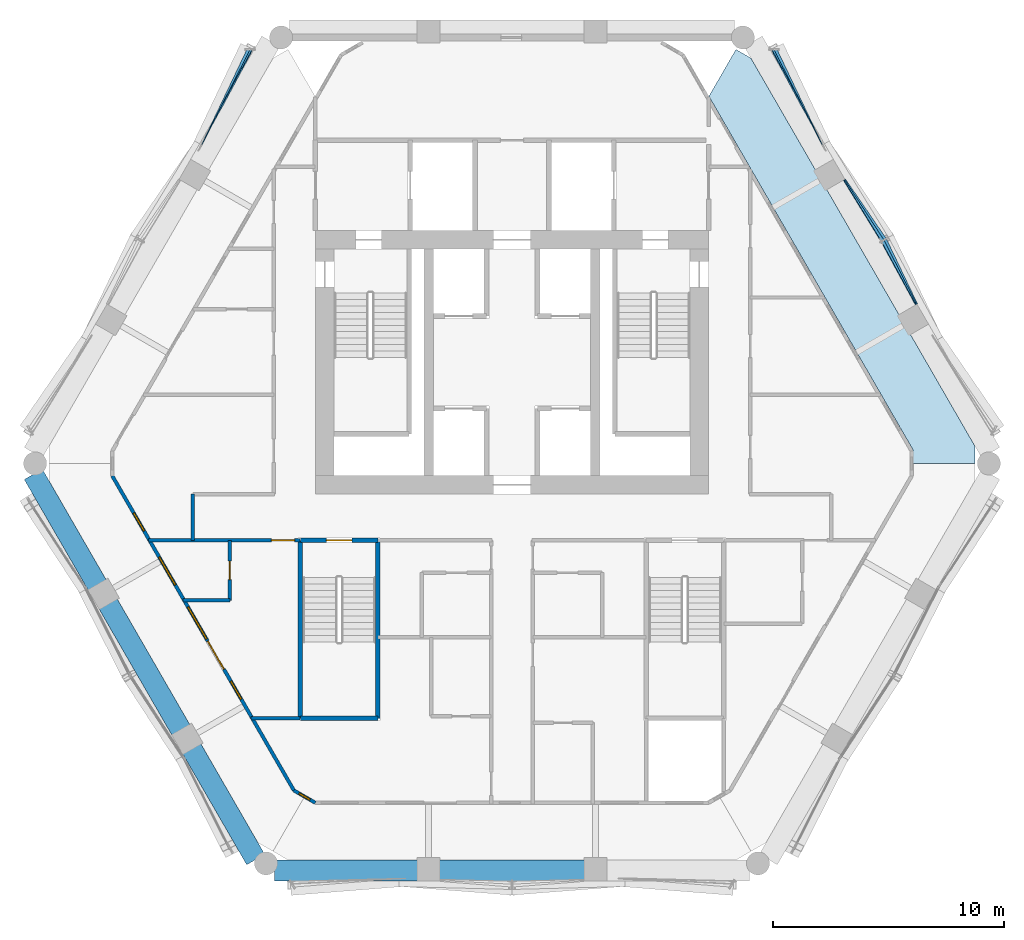
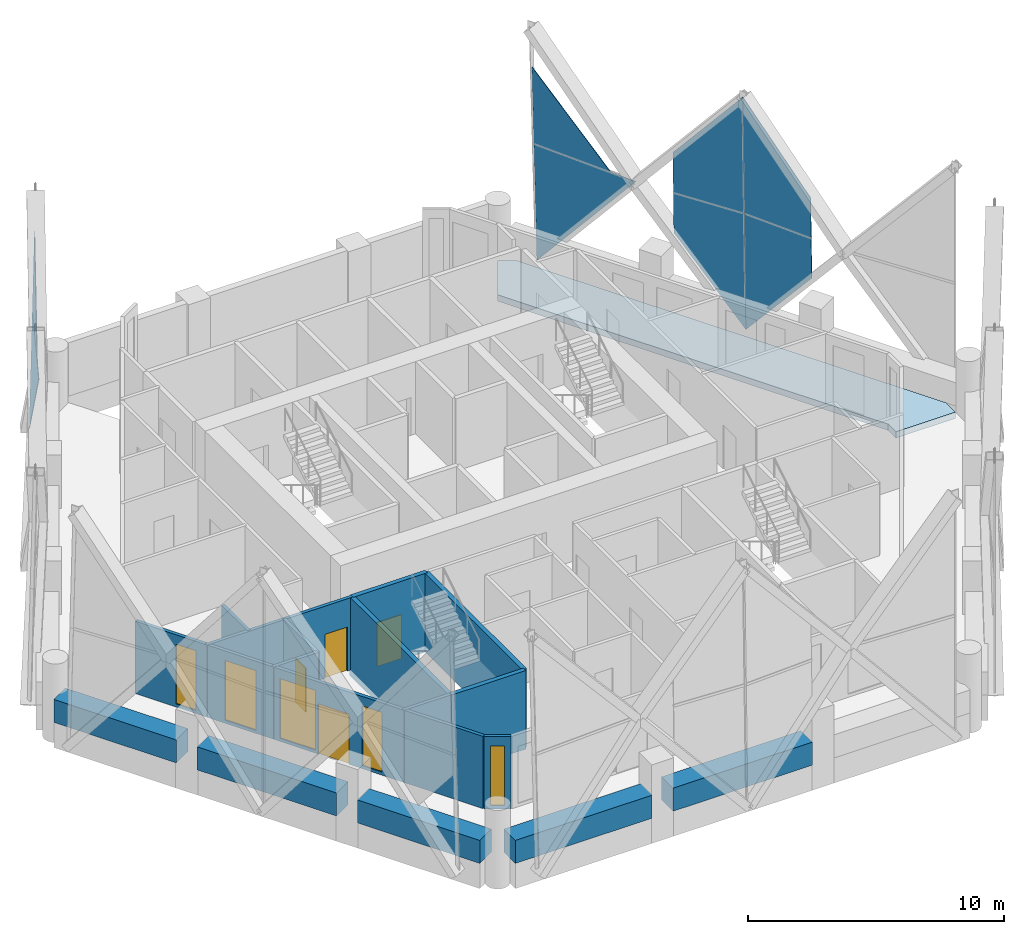
# One storey, part 9 of 18: 16 walls, 8 plates, 5 windows, 4 doors, 1 slab, 9 openings, 6 elements without a shape of their own.
"""IFC4 building model written with IfcOpenShell, lengths in metres."""

from ifc_helpers import new_model, si_unit, direction, frame, frame_2d, origin, place, context, subcontext, project, spatial, polyline, rectangle, outline, extrude, material, layer, layer_set, type_object, element, fill, aggregate, save


model = new_model("IFC4")

# Units and contexts
model_context = context("Model", 3, precision=1e-05, world=origin(), true_north=direction((0.0, 1.0)))
body_context = subcontext(model_context, "Body", "Model", "MODEL_VIEW")
ifc_project = project(units=[si_unit("LENGTHUNIT", "METRE"), si_unit("AREAUNIT", "SQUARE_METRE"), si_unit("VOLUMEUNIT", "CUBIC_METRE"), si_unit("PLANEANGLEUNIT", "RADIAN"), si_unit("MASSUNIT", "GRAM", prefix="KILO")], contexts=[model_context])

# Site, building, storey
site_placement = place(None, origin())
site = spatial("IfcSite", under=ifc_project, at=site_placement, CompositionType="ELEMENT")
building_placement = place(site_placement, origin())
building = spatial("IfcBuilding", under=site, at=building_placement, Name="Ostrander Bayou Hotel Tower", CompositionType="ELEMENT")
storey_placement = place(building_placement, frame((0.0, 0.0, 175.75)))
storey = spatial("IfcBuildingStorey", under=building, at=storey_placement, Name="L43", CompositionType="ELEMENT", Elevation=175.75)

# Curtain wall, plate
ifc_material_1 = material(Name="Aluminium and clear glass", Category="aluminium")
curtain_wall_type = type_object("IfcCurtainWallType", Name="CW-LAT lattice glazing", PredefinedType="NOTDEFINED", material=ifc_material_1)
curtain_wall_1_placement = place(storey_placement, origin())
curtain_wall_1 = element("IfcCurtainWall", 1, at=curtain_wall_1_placement, inside=storey, type_object=curtain_wall_type, Name="CW-LAT L43 NW 3", PredefinedType="NOTDEFINED")
ifc_material_2 = material(Name="Clear laminated glass", Category="glass")
ifc_layer_1 = layer(ifc_material_2, 0.028076171875)
ifc_layer_set_1 = layer_set([ifc_layer_1], Name="CW-LA glazing panel 28 mm")
plate_type = type_object("IfcPlateType", Name="CW-LA glazing panel 28 mm", PredefinedType="CURTAIN_PANEL", material=ifc_layer_set_1)
plate_1_placement = place(storey_placement, frame((-13.491943359375, 13.2783203125, 5.02490234375), z_axis=(-0.890625643557, 0.454184208025, 0.022420263596), x_axis=(0.275747193678, 0.578612692981, -0.767574645686)))
plate_1 = element("IfcPlate", 2, at=plate_1_placement, type_object=plate_type, Name="CW-LAT panel 1", PredefinedType="CURTAIN_PANEL", context=body_context, shape_type="SweptSolid", body=[
    extrude(outline(polyline([(0.0, 0.0), (7.328277492766643, 4.440892098500626e-16), (3.0497163442619715, -3.6543933150399726), (0.0, 0.0)])), origin(), (0.0, 0.0, -1.0), 0.028076171875),
])
aggregate(curtain_wall_1, [plate_1])

curtain_wall_2_placement = place(storey_placement, origin())
curtain_wall_2 = element("IfcCurtainWall", 3, at=curtain_wall_2_placement, inside=storey, type_object=curtain_wall_type, Name="CW-LAT L43 NW 4", PredefinedType="NOTDEFINED")
plate_2_placement = place(storey_placement, frame((-11.32958984375, 17.5185546875, 5.02490234375), z_axis=(-0.890610327925, 0.454211267242, 0.022480402677), x_axis=(0.025233532384, 0.0, 0.999681583727)))
plate_2 = element("IfcPlate", 4, at=plate_2_placement, type_object=plate_type, Name="CW-LAT panel 2", PredefinedType="CURTAIN_PANEL", context=body_context, shape_type="SweptSolid", body=[
    extrude(outline(polyline([(0.0, 0.0), (3.7152943383003256, 0.0), (-0.04115850338248028, -3.5899244763906015), (0.0, 0.0)])), origin(), (0.0, 0.0, -1.0), 0.028076171875),
])
aggregate(curtain_wall_2, [plate_2])

curtain_wall_3_placement = place(storey_placement, origin())
curtain_wall_3 = element("IfcCurtainWall", 5, at=curtain_wall_3_placement, inside=storey, type_object=curtain_wall_type, Name="CW-LAT L43 NE 1", PredefinedType="NOTDEFINED")
plate_3_placement = place(storey_placement, frame((17.536376953125, 6.52880859375, 3.085205078125), z_axis=(0.890594610692, 0.454274095001, 0.021823978025), x_axis=(-0.278847443569, 0.583324000962, -0.76287431017)))
plate_3 = element("IfcPlate", 6, at=plate_3_placement, type_object=plate_type, Name="CW-LAT panel 3", PredefinedType="CURTAIN_PANEL", context=body_context, shape_type="SweptSolid", body=[
    extrude(outline(polyline([(0.0, 0.0), (4.8308089659978055, -8.881784197001252e-16), (0.5335772899336935, 3.6317365906636248), (-1.479737950617978, 1.2548328716387087), (0.0, 0.0)])), origin(), (0.0, 0.0, -1.0), 0.028076171875),
])

curtain_wall_4_placement = place(storey_placement, origin())
curtain_wall_4 = element("IfcCurtainWall", 7, at=curtain_wall_4_placement, inside=storey, type_object=curtain_wall_type, Name="CW-LAT L43 NE 2", PredefinedType="NOTDEFINED")
plate_4_placement = place(storey_placement, frame((17.460693359375, 6.49072265625, 6.970703125), z_axis=(0.890603570514, 0.454260071237, 0.021750123397), x_axis=(-0.308041465086, 0.567368253294, 0.763677759884)))
plate_4 = element("IfcPlate", 8, at=plate_4_placement, type_object=plate_type, Name="CW-LAT panel 4", PredefinedType="CURTAIN_PANEL", context=body_context, shape_type="SweptSolid", body=[
    extrude(outline(polyline([(0.0, 0.0), (4.81773995888493, 4.440892098500626e-16), (0.5241061225916896, -3.6359823040383805), (-1.4866035253629086, -1.2561593089033538), (0.0, 0.0)])), origin(), (0.0, 0.0, -1.0), 0.028076171875),
])

curtain_wall_5_placement = place(storey_placement, origin())
curtain_wall_5 = element("IfcCurtainWall", 9, at=curtain_wall_5_placement, inside=storey, type_object=curtain_wall_type, Name="CW-LAT L43 NE 3", PredefinedType="NOTDEFINED")
plate_5_placement = place(storey_placement, frame((14.422119140625, 11.922607421875, 3.085205078125), z_axis=(0.838697254437, 0.544161384178, 0.021801453393), x_axis=(0.365776359858, -0.5331962867, -0.762829846309)))
plate_5 = element("IfcPlate", 10, at=plate_5_placement, type_object=plate_type, Name="CW-LAT panel 5", PredefinedType="CURTAIN_PANEL", context=body_context, shape_type="SweptSolid", body=[
    extrude(outline(polyline([(0.0, 0.0), (4.831093711827126, 0.0), (0.5339145409566968, -3.631798718276258), (-1.4796718535850824, -1.2549055686495512), (0.0, 0.0)])), origin(), (0.0, 0.0, -1.0), 0.028076171875),
])
aggregate(curtain_wall_5, [plate_5])

curtain_wall_6_placement = place(storey_placement, origin())
curtain_wall_6 = element("IfcCurtainWall", 11, at=curtain_wall_6_placement, inside=storey, type_object=curtain_wall_type, Name="CW-LAT L43 NE 4", PredefinedType="NOTDEFINED")
plate_6_placement = place(storey_placement, frame((14.351318359375, 11.8759765625, 6.970703125), z_axis=(0.838678440724, 0.544191728689, 0.021767762672), x_axis=(0.337343581448, -0.550442879809, 0.763683143799)))
plate_6 = element("IfcPlate", 12, at=plate_6_placement, type_object=plate_type, Name="CW-LAT panel 6", PredefinedType="CURTAIN_PANEL", context=body_context, shape_type="SweptSolid", body=[
    extrude(outline(polyline([(0.0, 0.0), (4.8177030662212905, 4.440892098500626e-16), (0.5240809133792497, 3.6359961013468416), (-1.4865830380595895, 1.2561881824663583), (0.0, 0.0)])), origin(), (0.0, 0.0, -1.0), 0.028076171875),
])
aggregate(curtain_wall_6, [plate_6])

# Plate
plate_7_placement = place(storey_placement, frame((13.491943359375, 13.2783203125, 5.02490234375), z_axis=(0.890625643557, 0.454184208025, 0.022420263596), x_axis=(-0.275747193678, 0.578612692981, -0.767574645686)))
plate_7 = element("IfcPlate", 13, at=plate_7_placement, type_object=plate_type, Name="CW-LAT panel 7", PredefinedType="CURTAIN_PANEL", context=body_context, shape_type="SweptSolid", body=[
    extrude(outline(polyline([(0.0, 0.0), (7.328277492766643, -4.440892098500626e-16), (3.0497163442619715, 3.6543933150399726), (0.0, 0.0)])), origin(), (0.0, 0.0, -1.0), 0.028076171875),
])

aggregate(curtain_wall_3, [plate_3, plate_7])

plate_8_placement = place(storey_placement, frame((11.32958984375, 17.5185546875, 5.02490234375), z_axis=(0.890610327925, 0.454211267242, 0.022480402677), x_axis=(0.454326082796, -0.890835456463, 0.0)))
plate_8 = element("IfcPlate", 14, at=plate_8_placement, type_object=plate_type, Name="CW-LAT panel 8", PredefinedType="CURTAIN_PANEL", context=body_context, shape_type="SweptSolid", body=[
    extrude(outline(polyline([(0.0, 0.0), (3.59016040986876, 0.0), (-0.042593070262126165, -3.7150501814339063), (0.0, 0.0)])), origin(), (0.0, 0.0, -1.0), 0.028076171875),
])

aggregate(curtain_wall_4, [plate_4, plate_8])

# Slab
ifc_material_3 = material(Name="Concrete f'c 40 MPa", Category="concrete")
ifc_layer_2 = layer(ifc_material_3, 0.300048828125)
ifc_layer_set_2 = layer_set([ifc_layer_2], Name="SL4 loggia slab 300 mm f'c 40 MPa")
slab_type = type_object("IfcSlabType", Name="SL4 loggia slab 300 mm f'c 40 MPa", PredefinedType="FLOOR", material=ifc_layer_set_2)
slab_placement = place(storey_placement, frame((0.0, 0.0, -0.300048828125)))
element("IfcSlab", 15, at=slab_placement, inside=storey, type_object=slab_type, Name="SL4 LOGGIA L43 NE 1", PredefinedType="FLOOR", context=body_context, shape_type="SweptSolid", body=[
    extrude(outline(polyline([(9.683349609375, 17.52490234375), (10.3330078125, 17.14990234375), (16.036376953125, 7.271484375), (16.108154296875, 7.147216796875), (16.75, 6.035400390625), (17.219970703125, 5.221435546875), (20.018798828125, 0.37353515625), (20.018798828125, -0.37646484375), (17.333984375, -0.37646484375), (17.333984375, 0.2236328125), (8.514404296875, 15.5), (9.683349609375, 17.52490234375)])), origin(), (0.0, 0.0, 1.0), 0.300048828125),
])

# Wall, openings, door, windows
ifc_material_4 = material(Name="Aluminium framed insulated wall", Category="aluminium")
ifc_layer_3 = layer(ifc_material_4, 0.14990234375)
ifc_layer_set_3 = layer_set([ifc_layer_3], Name="GW1 glass-line wall 150 mm")
wall_type_1 = type_object("IfcWallType", Name="GW1 glass-line wall 150 mm", PredefinedType="SOLIDWALL", material=ifc_layer_set_3)
wall_1_placement = place(storey_placement, frame((-17.28662109375, -0.908935546875, 0.0), z_axis=(0.0, 0.0, 1.0), x_axis=(0.500004460396, -0.866022828558, 0.0)))
wall_1 = element("IfcWall", 16, at=wall_1_placement, inside=storey, type_object=wall_type_1, Name="GW1 L43 SW 1", PredefinedType="SOLIDWALL", context=body_context, shape_type="SweptSolid", body=[
    extrude(rectangle(XDim=15.712158203125, YDim=0.14990234375, at=frame_2d((7.85595703125, 0.0))), origin(), (0.0, 0.0, 1.0), 3.449951171875),
])
opening_1_placement = place(wall_1_placement, frame((1.856201171875, 0.0, 0.14990234375)))
opening_1 = element("IfcOpeningElement", 17, at=opening_1_placement, cuts=wall_1, Name="Opening W17", PredefinedType="OPENING", context=body_context, shape_type="SweptSolid", body=[
    extrude(rectangle(XDim=0.89990234375, YDim=2.85009765625, at=frame_2d((0.449951171875, 1.425048828125))), frame((0.0, 0.074951171875, 0.0), z_axis=(0.0, -1.0, 0.0), x_axis=(1.0, 0.0, 0.0)), (0.0, 0.0, 1.0), 0.14990234375),
])
opening_2_placement = place(wall_1_placement, frame((4.05615234375, 0.0, 0.14990234375)))
opening_2 = element("IfcOpeningElement", 18, at=opening_2_placement, cuts=wall_1, Name="Opening W13", PredefinedType="OPENING", context=body_context, shape_type="SweptSolid", body=[
    extrude(rectangle(XDim=1.39990234375, YDim=2.85009765625, at=frame_2d((0.699951171875, 1.425048828125))), frame((0.0, 0.074951171875, 0.0), z_axis=(0.0, -1.0, 0.0), x_axis=(1.0, 0.0, 0.0)), (0.0, 0.0, 1.0), 0.14990234375),
])
opening_3_placement = place(wall_1_placement, frame((6.549072265625, 0.0, 0.14990234375)))
opening_3 = element("IfcOpeningElement", 19, at=opening_3_placement, cuts=wall_1, Name="Opening W3", PredefinedType="OPENING", context=body_context, shape_type="SweptSolid", body=[
    extrude(rectangle(XDim=1.60009765625, YDim=2.85009765625, at=frame_2d((0.800048828125, 1.425048828125))), frame((0.0, 0.074951171875, 0.0), z_axis=(0.0, -1.0, 0.0), x_axis=(1.0, 0.0, 0.0)), (0.0, 0.0, 1.0), 0.14990234375),
])
opening_4_placement = place(wall_1_placement, frame((8.256103515625, 0.0, 0.0)))
opening_4 = element("IfcOpeningElement", 20, at=opening_4_placement, cuts=wall_1, Name="Opening T41-802", PredefinedType="OPENING", context=body_context, shape_type="SweptSolid", body=[
    extrude(rectangle(XDim=1.39990234375, YDim=2.39990234375, at=frame_2d((0.699951171875, 1.199951171875))), frame((0.0, 0.074951171875, 0.0), z_axis=(0.0, -1.0, 0.0), x_axis=(1.0, 0.0, 0.0)), (0.0, 0.0, 1.0), 0.14990234375),
])
opening_5_placement = place(wall_1_placement, frame((10.256103515625, 0.0, 0.14990234375)))
opening_5 = element("IfcOpeningElement", 21, at=opening_5_placement, cuts=wall_1, Name="Opening W17", PredefinedType="OPENING", context=body_context, shape_type="SweptSolid", body=[
    extrude(rectangle(XDim=0.89990234375, YDim=2.85009765625, at=frame_2d((0.449951171875, 1.425048828125))), frame((0.0, 0.074951171875, 0.0), z_axis=(0.0, -1.0, 0.0), x_axis=(1.0, 0.0, 0.0)), (0.0, 0.0, 1.0), 0.14990234375),
])
ifc_material_5 = material(Name="Aluminium and clear glass", Category="aluminium")
door_type_1 = type_object("IfcDoorType", Name="SD3 sliding glass door 1400 mm, zone 3", OperationType="SLIDING_TO_LEFT", PredefinedType="DOOR", material=ifc_material_5)
door_1_placement = place(opening_4_placement, origin())
door_1 = element("IfcDoor", 22, at=door_1_placement, inside=storey, type_object=door_type_1, Name="SD3 L43 SW 2", OperationType="SLIDING_TO_RIGHT", OverallHeight=2.39990234375, OverallWidth=1.39990234375, PredefinedType="DOOR", context=body_context, shape_type="SweptSolid", body=[
    extrude(rectangle(XDim=1.39990234375, YDim=2.39990234375, at=frame_2d((0.699951171875, 1.199951171875))), frame((0.0, 0.02490234375, 0.0), z_axis=(0.0, -1.0, 0.0), x_axis=(1.0, 0.0, 0.0)), (0.0, 0.0, 1.0), 0.050048828125),
])
fill(opening_4, door_1)
ifc_material_6 = material(Name="Aluminium and clear glass", Category="aluminium")
window_type_1 = type_object("IfcWindowType", Name="W13 fixed window 1400 mm, bath bay, zone 3", PartitioningType="SINGLE_PANEL", PredefinedType="WINDOW", material=ifc_material_6)
window_1_placement = place(opening_2_placement, origin())
window_1 = element("IfcWindow", 23, at=window_1_placement, inside=storey, type_object=window_type_1, Name="W13 L43 SW 1", OverallHeight=2.85009765625, OverallWidth=1.39990234375, PartitioningType="SINGLE_PANEL", PredefinedType="WINDOW", context=body_context, shape_type="SweptSolid", body=[
    extrude(rectangle(XDim=1.39990234375, YDim=2.85009765625, at=frame_2d((0.699951171875, 1.425048828125))), frame((0.0, 0.030029296875, 0.0), z_axis=(0.0, -1.0, 0.0), x_axis=(1.0, 0.0, 0.0)), (0.0, 0.0, 1.0), 0.06005859375),
])
fill(opening_2, window_1)
ifc_material_7 = material(Name="Aluminium and clear glass", Category="aluminium")
window_type_2 = type_object("IfcWindowType", Name="W17 window 900 mm, zone 3", PartitioningType="SINGLE_PANEL", PredefinedType="WINDOW", material=ifc_material_7)
window_2_placement = place(opening_1_placement, origin())
window_2 = element("IfcWindow", 24, at=window_2_placement, inside=storey, type_object=window_type_2, Name="W17 L43 SW 1", OverallHeight=2.85009765625, OverallWidth=0.89990234375, PartitioningType="SINGLE_PANEL", PredefinedType="WINDOW", context=body_context, shape_type="SweptSolid", body=[
    extrude(rectangle(XDim=0.89990234375, YDim=2.85009765625, at=frame_2d((0.449951171875, 1.425048828125))), frame((0.0, 0.030029296875, 0.0), z_axis=(0.0, -1.0, 0.0), x_axis=(1.0, 0.0, 0.0)), (0.0, 0.0, 1.0), 0.06005859375),
])
fill(opening_1, window_2)
window_3_placement = place(opening_5_placement, origin())
window_3 = element("IfcWindow", 25, at=window_3_placement, inside=storey, type_object=window_type_2, Name="W17 L43 SW 3", OverallHeight=2.85009765625, OverallWidth=0.89990234375, PartitioningType="SINGLE_PANEL", PredefinedType="WINDOW", context=body_context, shape_type="SweptSolid", body=[
    extrude(rectangle(XDim=0.89990234375, YDim=2.85009765625, at=frame_2d((0.449951171875, 1.425048828125))), frame((0.0, 0.030029296875, 0.0), z_axis=(0.0, -1.0, 0.0), x_axis=(1.0, 0.0, 0.0)), (0.0, 0.0, 1.0), 0.06005859375),
])
fill(opening_5, window_3)
ifc_material_8 = material(Name="Aluminium and clear glass", Category="aluminium")
window_type_3 = type_object("IfcWindowType", Name="W3 fixed window 1600 mm, zone 3", PartitioningType="SINGLE_PANEL", PredefinedType="WINDOW", material=ifc_material_8)
window_4_placement = place(opening_3_placement, origin())
window_4 = element("IfcWindow", 26, at=window_4_placement, inside=storey, type_object=window_type_3, Name="W3 L43 SW 2", OverallHeight=2.85009765625, OverallWidth=1.60009765625, PartitioningType="SINGLE_PANEL", PredefinedType="WINDOW", context=body_context, shape_type="SweptSolid", body=[
    extrude(rectangle(XDim=1.60009765625, YDim=2.85009765625, at=frame_2d((0.800048828125, 1.425048828125))), frame((0.0, 0.030029296875, 0.0), z_axis=(0.0, -1.0, 0.0), x_axis=(1.0, 0.0, 0.0)), (0.0, 0.0, 1.0), 0.06005859375),
])
fill(opening_3, window_4)

# Wall, opening, window
wall_2_placement = place(storey_placement, frame((-9.430419921875, -14.51611328125, 0.0), z_axis=(0.0, 0.0, 1.0), x_axis=(0.866048165231, -0.499960573946, 0.0)))
wall_2 = element("IfcWall", 27, at=wall_2_placement, inside=storey, type_object=wall_type_1, Name="GW1 L43 corner 3", PredefinedType="SOLIDWALL", context=body_context, shape_type="SweptSolid", body=[
    extrude(rectangle(XDim=1.06494140625, YDim=0.14990234375, at=frame_2d((0.532470703125, 0.0))), origin(), (0.0, 0.0, 1.0), 3.449951171875),
])
opening_6_placement = place(wall_2_placement, frame((0.257568359375, 0.0, 0.14990234375)))
opening_6 = element("IfcOpeningElement", 28, at=opening_6_placement, cuts=wall_2, Name="Opening W19", PredefinedType="OPENING", context=body_context, shape_type="SweptSolid", body=[
    extrude(rectangle(XDim=0.550048828125, YDim=2.85009765625, at=frame_2d((0.27490234375, 1.425048828125))), frame((0.0, 0.074951171875, 0.0), z_axis=(0.0, -1.0, 0.0), x_axis=(1.0, 0.0, 0.0)), (0.0, 0.0, 1.0), 0.14990234375),
])
ifc_material_9 = material(Name="Aluminium and clear glass", Category="aluminium")
window_type_4 = type_object("IfcWindowType", Name="W19 corner window 550 mm", PartitioningType="SINGLE_PANEL", PredefinedType="WINDOW", material=ifc_material_9)
window_5_placement = place(opening_6_placement, origin())
window_5 = element("IfcWindow", 29, at=window_5_placement, inside=storey, type_object=window_type_4, Name="W19 L43 corner 3", OverallHeight=2.85009765625, OverallWidth=0.550048828125, PartitioningType="SINGLE_PANEL", PredefinedType="WINDOW", context=body_context, shape_type="SweptSolid", body=[
    extrude(rectangle(XDim=0.550048828125, YDim=2.85009765625, at=frame_2d((0.27490234375, 1.425048828125))), frame((0.0, 0.030029296875, 0.0), z_axis=(0.0, -1.0, 0.0), x_axis=(1.0, 0.0, 0.0)), (0.0, 0.0, 1.0), 0.06005859375),
])
fill(opening_6, window_5)

# Walls
ifc_material_10 = material(Name="Concrete f'c 40 MPa", Category="concrete")
ifc_layer_4 = layer(ifc_material_10, 0.89990234375)
ifc_layer_set_4 = layer_set([ifc_layer_4], Name="PA1 stone-faced parapet 900 mm")
wall_type_2 = type_object("IfcWallType", Name="PA1 stone-faced parapet 900 mm", PredefinedType="PARAPET", material=ifc_layer_set_4)
wall_3_placement = place(storey_placement, frame((-10.269287109375, -17.9736328125, 0.0), z_axis=(0.0, 0.0, 1.0), x_axis=(1.0, 0.0, 0.0)))
element("IfcWall", 30, at=wall_3_placement, inside=storey, type_object=wall_type_2, Name="PA1 L43 S-1", PredefinedType="PARAPET", context=body_context, shape_type="SweptSolid", body=[
    extrude(rectangle(XDim=6.18115234375, YDim=0.89990234375, at=frame_2d((3.090576171875, 0.0))), origin(), (0.0, 0.0, 1.0), 1.10009765625),
])
wall_4_placement = place(storey_placement, frame((-3.148193359375, -17.9736328125, 0.0), z_axis=(0.0, 0.0, 1.0), x_axis=(1.0, 0.0, 0.0)))
element("IfcWall", 31, at=wall_4_placement, inside=storey, type_object=wall_type_2, Name="PA1 L43 S-2", PredefinedType="PARAPET", context=body_context, shape_type="SweptSolid", body=[
    extrude(rectangle(XDim=6.29638671875, YDim=0.89990234375, at=frame_2d((3.148193359375, 0.0))), origin(), (0.0, 0.0, 1.0), 1.10009765625),
])
ifc_material_11 = material(Name="Limestone masonry", Category="masonry")
ifc_layer_5 = layer(ifc_material_11, 0.89990234375)
ifc_layer_set_5 = layer_set([ifc_layer_5], Name="PA2 limestone parapet 900 mm")
wall_type_3 = type_object("IfcWallType", Name="PA2 limestone parapet 900 mm", PredefinedType="PARAPET", material=ifc_layer_set_5)
wall_5_placement = place(storey_placement, frame((-20.7001953125, -0.84619140625, 0.0), z_axis=(0.0, 0.0, 1.0), x_axis=(0.500014212531, -0.86601719802, 0.0)))
element("IfcWall", 32, at=wall_5_placement, inside=storey, type_object=wall_type_3, Name="PA2 L43 SW-1", PredefinedType="PARAPET", context=body_context, shape_type="SweptSolid", body=[
    extrude(rectangle(XDim=5.529052734375, YDim=0.89990234375, at=frame_2d((2.7646484375, 0.0))), origin(), (0.0, 0.0, 1.0), 1.10009765625),
])
wall_6_placement = place(storey_placement, frame((-17.465576171875, -6.44873046875, 0.0), z_axis=(0.0, 0.0, 1.0), x_axis=(0.500013351051, -0.866017695414, 0.0)))
element("IfcWall", 33, at=wall_6_placement, inside=storey, type_object=wall_type_3, Name="PA2 L43 SW-2", PredefinedType="PARAPET", context=body_context, shape_type="SweptSolid", body=[
    extrude(rectangle(XDim=6.296142578125, YDim=0.89990234375, at=frame_2d((3.14794921875, 0.0))), origin(), (0.0, 0.0, 1.0), 1.10009765625),
])
wall_7_placement = place(storey_placement, frame((-13.847412109375, -12.71533203125, 0.0), z_axis=(0.0, 0.0, 1.0), x_axis=(0.499961976493, -0.866047355554, 0.0)))
element("IfcWall", 34, at=wall_7_placement, inside=storey, type_object=wall_type_3, Name="PA2 L43 SW-3", PredefinedType="PARAPET", context=body_context, shape_type="SweptSolid", body=[
    extrude(rectangle(XDim=5.529296875, YDim=0.89990234375, at=frame_2d((2.7646484375, 0.0))), origin(), (0.0, 0.0, 1.0), 1.10009765625),
])
ifc_material_12 = material(Name="Gypsum board partition", Category="finish")
ifc_layer_6 = layer(ifc_material_12, 0.14990234375)
ifc_layer_set_6 = layer_set([ifc_layer_6], Name="PT8 service band wall 150 mm, 1 hour")
wall_type_4 = type_object("IfcWallType", Name="PT8 service band wall 150 mm, 1 hour", PredefinedType="PARTITIONING", material=ifc_layer_set_6)
wall_8_placement = place(storey_placement, frame((-11.281005859375, -11.39990234375, 0.0), z_axis=(0.0, 0.0, 1.0), x_axis=(1.0, 0.0, 0.0)))
element("IfcWall", 35, at=wall_8_placement, inside=storey, type_object=wall_type_4, Name="gw:L43:002", PredefinedType="PARTITIONING", context=body_context, shape_type="SweptSolid", body=[
    extrude(rectangle(XDim=2.12109375, YDim=0.14990234375, at=frame_2d((1.060546875, 0.0))), origin(), (0.0, 0.0, 1.0), 3.449951171875),
])
wall_9_placement = place(storey_placement, frame((-14.22607421875, -6.300048828125, 0.0), z_axis=(0.0, 0.0, 1.0), x_axis=(1.0, 0.0, 0.0)))
element("IfcWall", 36, at=wall_9_placement, inside=storey, type_object=wall_type_4, Name="gw:L43:007", PredefinedType="PARTITIONING", context=body_context, shape_type="SweptSolid", body=[
    extrude(rectangle(XDim=2.026123046875, YDim=0.14990234375, at=frame_2d((1.01318359375, 0.0))), origin(), (0.0, 0.0, 1.0), 3.449951171875),
])

# Wall, opening, door
wall_10_placement = place(storey_placement, frame((-15.72705078125, -3.699951171875, 0.0), z_axis=(0.0, 0.0, 1.0), x_axis=(1.0, 0.0, 0.0)))
wall_10 = element("IfcWall", 37, at=wall_10_placement, inside=storey, type_object=wall_type_4, Name="gw:L43:010", PredefinedType="PARTITIONING", context=body_context, shape_type="SweptSolid", body=[
    extrude(rectangle(XDim=6.567138671875, YDim=0.14990234375, at=frame_2d((3.28369140625, 0.0))), origin(), (0.0, 0.0, 1.0), 3.449951171875),
])
opening_7_placement = place(wall_10_placement, frame((5.326904296875, 0.0, 0.0)))
opening_7 = element("IfcOpeningElement", 38, at=opening_7_placement, cuts=wall_10, Name="Opening T41-400", PredefinedType="OPENING", context=body_context, shape_type="SweptSolid", body=[
    extrude(rectangle(XDim=1.0, YDim=2.10009765625, at=frame_2d((0.5, 1.050048828125))), frame((0.0, 0.074951171875, 0.0), z_axis=(0.0, -1.0, 0.0), x_axis=(1.0, 0.0, 0.0)), (0.0, 0.0, 1.0), 0.14990234375),
])
ifc_material_13 = material(Name="Timber door leaf", Category="wood")
door_type_2 = type_object("IfcDoorType", Name="D1 guest room door 1000 x 2100 mm, 30 minute", OperationType="SINGLE_SWING_LEFT", PredefinedType="DOOR", material=ifc_material_13)
door_2_placement = place(opening_7_placement, origin())
door_2 = element("IfcDoor", 39, at=door_2_placement, inside=storey, type_object=door_type_2, Name="dr:L43:400", OperationType="SINGLE_SWING_RIGHT", OverallHeight=2.10009765625, OverallWidth=1.0, PredefinedType="DOOR", context=body_context, shape_type="SweptSolid", body=[
    extrude(rectangle(XDim=1.0, YDim=2.10009765625, at=frame_2d((0.5, 1.050048828125))), frame((0.0, 0.02490234375, 0.0), z_axis=(0.0, -1.0, 0.0), x_axis=(1.0, 0.0, 0.0)), (0.0, 0.0, 1.0), 0.050048828125),
])
fill(opening_7, door_2)

wall_11_placement = place(storey_placement, frame((-12.199951171875, -6.300048828125, 0.0), z_axis=(0.0, 0.0, 1.0), x_axis=(0.0, 1.0, 0.0)))
wall_11 = element("IfcWall", 40, at=wall_11_placement, inside=storey, type_object=wall_type_4, Name="gw:L43:037", PredefinedType="PARTITIONING", context=body_context, shape_type="SweptSolid", body=[
    extrude(rectangle(XDim=2.60009765625, YDim=0.14990234375, at=frame_2d((1.300048828125, 0.0))), origin(), (0.0, 0.0, 1.0), 3.449951171875),
])
opening_8_placement = place(wall_11_placement, frame((0.89990234375, 0.0, 0.0)))
opening_8 = element("IfcOpeningElement", 41, at=opening_8_placement, cuts=wall_11, Name="Opening T41-401", PredefinedType="OPENING", context=body_context, shape_type="SweptSolid", body=[
    extrude(rectangle(XDim=0.800048828125, YDim=2.10009765625, at=frame_2d((0.39990234375, 1.050048828125))), frame((0.0, 0.074951171875, 0.0), z_axis=(0.0, -1.0, 0.0), x_axis=(1.0, 0.0, 0.0)), (0.0, 0.0, 1.0), 0.14990234375),
])
ifc_material_14 = material(Name="Timber door leaf", Category="wood")
door_type_3 = type_object("IfcDoorType", Name="D2 bathroom door 800 x 2100 mm", OperationType="SINGLE_SWING_LEFT", PredefinedType="DOOR", material=ifc_material_14)
door_3_placement = place(opening_8_placement, origin())
door_3 = element("IfcDoor", 42, at=door_3_placement, inside=storey, type_object=door_type_3, Name="dr:L43:401", OperationType="SINGLE_SWING_RIGHT", OverallHeight=2.10009765625, OverallWidth=0.800048828125, PredefinedType="DOOR", context=body_context, shape_type="SweptSolid", body=[
    extrude(rectangle(XDim=0.800048828125, YDim=2.10009765625, at=frame_2d((0.39990234375, 1.050048828125))), frame((0.0, 0.02490234375, 0.0), z_axis=(0.0, -1.0, 0.0), x_axis=(1.0, 0.0, 0.0)), (0.0, 0.0, 1.0), 0.050048828125),
])
fill(opening_8, door_3)

# Wall
wall_12_placement = place(storey_placement, frame((-13.800048828125, -3.699951171875, 0.0), z_axis=(0.0, 0.0, 1.0), x_axis=(0.0, 1.0, 0.0)))
element("IfcWall", 43, at=wall_12_placement, inside=storey, type_object=wall_type_4, Name="gw:L43:038", PredefinedType="PARTITIONING", context=body_context, shape_type="SweptSolid", body=[
    extrude(rectangle(XDim=2.0, YDim=0.14990234375, at=frame_2d((1.0, 0.0))), origin(), (0.0, 0.0, 1.0), 3.449951171875),
])

# Wall, opening, door
ifc_material_15 = material(Name="Concrete f'c 45 MPa", Category="concrete")
ifc_layer_7 = layer(ifc_material_15, 0.199951171875)
ifc_layer_set_7 = layer_set([ifc_layer_7], Name="SW5 stair enclosure wall 200 mm f'c 45 MPa")
wall_type_5 = type_object("IfcWallType", Name="SW5 stair enclosure wall 200 mm f'c 45 MPa", PredefinedType="SOLIDWALL", material=ifc_layer_set_7)
wall_13_placement = place(storey_placement, frame((-9.14990234375, -3.699951171875, -0.300048828125), z_axis=(0.0, 0.0, 1.0), x_axis=(1.0, 0.0, 0.0)))
wall_13 = element("IfcWall", 44, at=wall_13_placement, inside=storey, type_object=wall_type_5, Name="cs:L43:019", PredefinedType="SOLIDWALL", context=body_context, shape_type="SweptSolid", body=[
    extrude(rectangle(XDim=3.349853515625, YDim=0.199951171875, at=frame_2d((1.6748046875, 0.0))), origin(), (0.0, 0.0, 1.0), 3.75),
])
opening_9_placement = place(wall_13_placement, frame((1.125, 0.0, 0.0)))
opening_9 = element("IfcOpeningElement", 45, at=opening_9_placement, cuts=wall_13, Name="Opening T41-012", PredefinedType="OPENING", context=body_context, shape_type="SweptSolid", body=[
    extrude(rectangle(XDim=1.10009765625, YDim=2.10009765625, at=frame_2d((0.550048828125, 1.050048828125))), frame((0.0, 0.10009765625, 0.0), z_axis=(0.0, -1.0, 0.0), x_axis=(1.0, 0.0, 0.0)), (0.0, 0.0, 1.0), 0.199951171875),
])
ifc_material_16 = material(Name="Timber door leaf", Category="wood")
door_type_4 = type_object("IfcDoorType", Name="D5 stair door 1100 x 2100 mm, 90 minute", OperationType="SINGLE_SWING_LEFT", PredefinedType="DOOR", material=ifc_material_16)
door_4_placement = place(opening_9_placement, origin())
door_4 = element("IfcDoor", 46, at=door_4_placement, inside=storey, type_object=door_type_4, Name="dr:L43:012", OperationType="SINGLE_SWING_LEFT", OverallHeight=2.10009765625, OverallWidth=1.10009765625, PredefinedType="DOOR", context=body_context, shape_type="SweptSolid", body=[
    extrude(rectangle(XDim=1.10009765625, YDim=2.10009765625, at=frame_2d((0.550048828125, 1.050048828125))), frame((0.0, 0.02490234375, 0.0), z_axis=(0.0, -1.0, 0.0), x_axis=(1.0, 0.0, 0.0)), (0.0, 0.0, 1.0), 0.050048828125),
])
fill(opening_9, door_4)

# Walls
for number, where, z_axis, x_axis, name in (
    (47, (-9.14990234375, -3.699951171875, -0.300048828125), (0.0, 0.0, 1.0), (0.0, -1.0, 0.0), "cs:L43:020"),
    (48, (-5.800048828125, -3.699951171875, -0.300048828125), (0.0, 0.0, 1.0), (0.0, -1.0, 0.0), "cs:L43:021"),
):
    element("IfcWall", number, at=place(storey_placement, frame(where, z_axis=z_axis, x_axis=x_axis)), inside=storey, type_object=wall_type_5, Name=name, PredefinedType="SOLIDWALL", context=body_context, shape_type="SweptSolid", body=[
        extrude(rectangle(XDim=7.699951171875, YDim=0.199951171875, at=frame_2d((3.85009765625, 0.0))), origin(), (0.0, 0.0, 1.0), 3.75),
    ])
wall_14_placement = place(storey_placement, frame((-9.14990234375, -11.39990234375, -0.300048828125), z_axis=(0.0, 0.0, 1.0), x_axis=(1.0, 0.0, 0.0)))
element("IfcWall", 49, at=wall_14_placement, inside=storey, type_object=wall_type_5, Name="cs:L43:022", PredefinedType="SOLIDWALL", context=body_context, shape_type="SweptSolid", body=[
    extrude(rectangle(XDim=3.349853515625, YDim=0.199951171875, at=frame_2d((1.6748046875, 0.0))), origin(), (0.0, 0.0, 1.0), 3.75),
])

save(model, "model.ifc")
